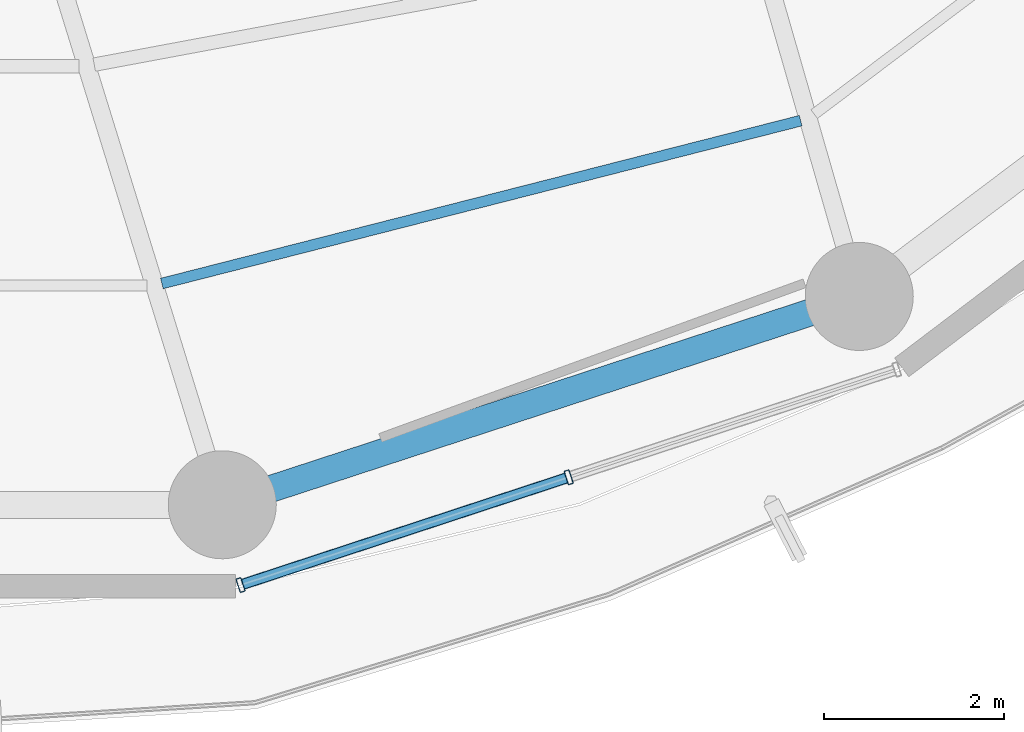
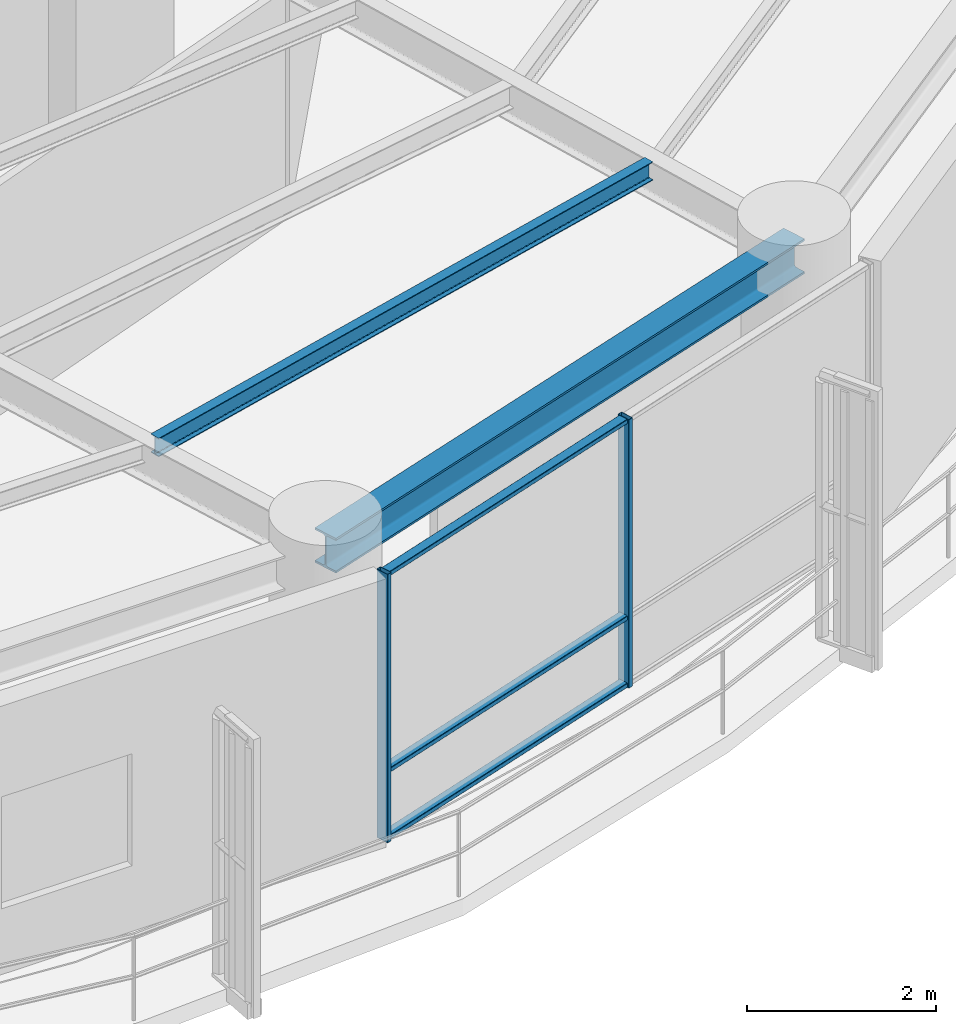
# One storey, part 4 of 27: 5 members, 2 beams, 1 element without a shape of its own.
"""IFC4 building model written with IfcOpenShell, lengths in metres."""

import ifcopenshell
import ifcopenshell.guid

model = None  # the IFC model being written
_history = None  # IfcOwnerHistory: only IFC2X3 demands one
_inside = {}  # id of a spatial element -> (the spatial element, [elements in it])
_under = {}  # id of a project, library or spatial element -> (it, [spatial elements below it])
_declared = {}  # id of a project -> (the project, [libraries it declares])
_typed = {}  # id of a type object -> (the type object, [elements of that type])
_made_of = {}  # id of a material, layer set ... -> (it, [elements and type objects made of it])


def new_model(schema):
    """Start an empty IFC model of exactly this schema.

    Asked for "IFC4X3", IfcOpenShell would pick the latest addendum, in which some entities
    have other attributes; the version numbers below select the first issue.
    IFC2X3 requires an IfcOwnerHistory on every rooted entity: one is made here for all.
    """
    global model, _history
    if schema == "IFC4X3":
        model = ifcopenshell.file(schema_version=(4, 3, 0, 0))
    else:
        model = ifcopenshell.file(schema=schema)
    _inside.clear()
    _under.clear()
    _declared.clear()
    _typed.clear()
    _made_of.clear()
    _history = None
    if model.schema == "IFC2X3":
        org = make("IfcOrganization", Name="unknown")
        user = make(
            "IfcPersonAndOrganization",
            ThePerson=make("IfcPerson", FamilyName="unknown"),
            TheOrganization=org,
        )
        app = make(
            "IfcApplication",
            ApplicationDeveloper=org,
            Version="unknown",
            ApplicationFullName="unknown",
            ApplicationIdentifier="unknown",
        )
        _history = make(
            "IfcOwnerHistory",
            OwningUser=user,
            OwningApplication=app,
            ChangeAction="ADDED",
            CreationDate=0,
        )
    return model


def make(cls, **values):
    """One entity of the class cls with the attributes given. An attribute that is None is left unset."""
    return model.create_entity(
        cls, **{name: value for name, value in values.items() if value is not None}
    )


def rooted(cls, **values):
    """An entity with a GlobalId (a new one), such as an element, a storey or a relation."""
    return make(cls, GlobalId=ifcopenshell.guid.new(), OwnerHistory=_history, **values)


def si_unit(unit_type, name, prefix=None):
    """IfcSIUnit, for example si_unit("LENGTHUNIT", "METRE", prefix="MILLI")."""
    return make("IfcSIUnit", UnitType=unit_type, Prefix=prefix, Name=name)


def assignment(units):
    """IfcUnitAssignment: the units of a project."""
    return None if units is None else make("IfcUnitAssignment", Units=units)


def point(xyz):
    """IfcCartesianPoint."""
    return None if xyz is None else make("IfcCartesianPoint", Coordinates=xyz)


def direction(xyz):
    """IfcDirection."""
    return None if xyz is None else make("IfcDirection", DirectionRatios=xyz)


def frame(location, z_axis=None, x_axis=None):
    """IfcAxis2Placement3D, a coordinate frame: its origin and axes. An axis left out is left unset."""
    return make(
        "IfcAxis2Placement3D",
        Location=point(location),
        Axis=direction(z_axis),
        RefDirection=direction(x_axis),
    )


def frame_2d(location, x_axis=None):
    """IfcAxis2Placement2D, a coordinate frame in the plane: its origin and x axis."""
    return make(
        "IfcAxis2Placement2D", Location=point(location), RefDirection=direction(x_axis)
    )


def origin():
    """The frame at (0, 0, 0) with its axes left unset."""
    return frame((0.0, 0.0, 0.0))


def origin_2d():
    """The frame at (0, 0) in the plane with its x axis left unset."""
    return frame_2d((0.0, 0.0))


def place(relative_to, where):
    """IfcLocalPlacement: puts the frame where relative to a parent placement (None: the world)."""
    return make(
        "IfcLocalPlacement", PlacementRelTo=relative_to, RelativePlacement=where
    )


def context(
    kind, dimensions, precision=None, world=None, true_north=None, identifier=None
):
    """IfcGeometricRepresentationContext, for example the 3D "Model" context."""
    return make(
        "IfcGeometricRepresentationContext",
        ContextIdentifier=identifier,
        ContextType=kind,
        CoordinateSpaceDimension=dimensions,
        Precision=precision,
        WorldCoordinateSystem=world,
        TrueNorth=true_north,
    )


def subcontext(parent, identifier, kind, view, scale=None):
    """IfcGeometricRepresentationSubContext, for example "Body" below "Model"."""
    return make(
        "IfcGeometricRepresentationSubContext",
        ContextIdentifier=identifier,
        ContextType=kind,
        ParentContext=parent,
        TargetScale=scale,
        TargetView=view,
    )


def project(units=None, contexts=None):
    """IfcProject with its units and contexts."""
    return rooted(
        "IfcProject",
        Name="project",
        RepresentationContexts=contexts,
        UnitsInContext=assignment(units),
    )


def spatial(cls, under=None, at=None, **own):
    """A site, building, storey or space (cls), placed at a placement, below another one or the project."""
    s = rooted(cls, ObjectPlacement=at, **own)
    if under is not None:
        _under.setdefault(under.id(), (under, []))[1].append(s)
    return s


def profile(cls, at=None, kind="AREA", **sizes):
    """A parametric profile (cls). Its sizes go by their IFC names, for example OverallWidth=200.0."""
    return make(cls, ProfileType=kind, Position=at, **sizes)


def hollow_rectangle(**sizes):
    """IfcRectangleHollowProfileDef."""
    return profile("IfcRectangleHollowProfileDef", **sizes)


def i_section(**sizes):
    """IfcIShapeProfileDef."""
    return profile("IfcIShapeProfileDef", **sizes)


def extrude(swept, where, along, depth):
    """IfcExtrudedAreaSolid: the profile swept, set in the frame where, extruded along a direction by depth."""
    return make(
        "IfcExtrudedAreaSolid",
        SweptArea=swept,
        Position=where,
        ExtrudedDirection=direction(along),
        Depth=depth,
    )


def shape(context_of_items, identifier, shape_type, items):
    """IfcShapeRepresentation: the items that make up one representation, for example the "Body"."""
    return make(
        "IfcShapeRepresentation",
        ContextOfItems=context_of_items,
        RepresentationIdentifier=identifier,
        RepresentationType=shape_type,
        Items=items,
    )


def material(Name=None, Category=None):
    """IfcMaterial."""
    return make("IfcMaterial", Name=Name, Category=Category)


def layer(
    of_material, thickness, ventilated=None, Name=None, Category=None, Priority=None
):
    """IfcMaterialLayer: one layer of a wall or slab, of a material (None: an air gap)."""
    return make(
        "IfcMaterialLayer",
        Material=of_material,
        LayerThickness=thickness,
        IsVentilated=ventilated,
        Name=Name,
        Category=Category,
        Priority=Priority,
    )


def layer_set(layers, Name=None):
    """IfcMaterialLayerSet."""
    return make("IfcMaterialLayerSet", MaterialLayers=layers, LayerSetName=Name)


def material_profile(
    of_material, cross_section, Name=None, Category=None, Priority=None
):
    """IfcMaterialProfile: a cross section and its material."""
    return make(
        "IfcMaterialProfile",
        Name=Name,
        Material=of_material,
        Profile=cross_section,
        Priority=Priority,
        Category=Category,
    )


def profile_set(profiles, Name=None, composite=None):
    """IfcMaterialProfileSet."""
    return make(
        "IfcMaterialProfileSet",
        Name=Name,
        MaterialProfiles=profiles,
        CompositeProfile=composite,
    )


def made_of(thing, what):
    """Note that an element or type object is made of a material, layer set ...; save() writes the relation."""
    if what is not None:
        _made_of.setdefault(what.id(), (what, []))[1].append(thing)
    return thing


def type_object(cls, material=None, **own):
    """A type object (cls), such as IfcWallType, which elements share."""
    return made_of(rooted(cls, **own), material)


def element(
    cls,
    number,
    at=None,
    inside=None,
    cuts=None,
    type_object=None,
    material=None,
    context=None,
    identifier="Body",
    shape_type=None,
    held_by="IfcProductDefinitionShape",
    body=None,
    shapes=None,
    **own,
):
    """One element of the class cls, such as IfcWall. Its Tag is "e" and its number.

    at: its placement. inside: the storey or other place that contains it. cuts: it is an
    opening in that element (IfcRelVoidsElement). A single representation is given by context,
    identifier, shape_type and body (its items); several are given by shapes. held_by: the class
    of the entity that holds the representations. save() writes the other relations.
    """
    e = rooted(cls, Tag="e%d" % number, ObjectPlacement=at, **own)
    if body is not None:
        shapes = [shape(context, identifier, shape_type, body)]
    if shapes is not None:
        e.Representation = make(held_by, Representations=shapes)
    if inside is not None:
        _inside.setdefault(inside.id(), (inside, []))[1].append(e)
    if cuts is not None:
        rooted(
            "IfcRelVoidsElement", RelatingBuildingElement=cuts, RelatedOpeningElement=e
        )
    if type_object is not None:
        _typed.setdefault(type_object.id(), (type_object, []))[1].append(e)
    return made_of(e, material)


def aggregate(whole, parts):
    """IfcRelAggregates: a whole, such as a stair, and the parts it consists of."""
    return rooted("IfcRelAggregates", RelatingObject=whole, RelatedObjects=parts)


def save(model, path):
    """Write the relations noted so far, then the file.

    IfcRelAggregates (storeys below a building ...), IfcRelContainedInSpatialStructure (elements
    in a storey), IfcRelDefinesByType, IfcRelAssociatesMaterial and IfcRelDeclares: one each for
    every whole, place, type object, material and project.
    """
    for whole, parts in _under.values():
        aggregate(whole, parts)
    for where, things in _inside.values():
        rooted(
            "IfcRelContainedInSpatialStructure",
            RelatedElements=things,
            RelatingStructure=where,
        )
    for kind, things in _typed.values():
        rooted("IfcRelDefinesByType", RelatedObjects=things, RelatingType=kind)
    for what, things in _made_of.values():
        rooted("IfcRelAssociatesMaterial", RelatedObjects=things, RelatingMaterial=what)
    for by, libraries in _declared.values():
        rooted("IfcRelDeclares", RelatingContext=by, RelatedDefinitions=libraries)
    model.write(path)


model = new_model("IFC4")

# Units and contexts
model_context = context("Model", 3, precision=1e-05, world=origin(), true_north=direction((0.0, 1.0)))
body_context = subcontext(model_context, "Body", "Model", "MODEL_VIEW")
ifc_project = project(units=[si_unit("LENGTHUNIT", "METRE"), si_unit("AREAUNIT", "SQUARE_METRE"), si_unit("VOLUMEUNIT", "CUBIC_METRE"), si_unit("PLANEANGLEUNIT", "RADIAN"), si_unit("MASSUNIT", "GRAM", prefix="KILO")], contexts=[model_context])

# Site, building, storey
site_placement = place(None, origin())
site = spatial("IfcSite", under=ifc_project, at=site_placement, CompositionType="ELEMENT")
building_placement = place(site_placement, origin())
building = spatial("IfcBuilding", under=site, at=building_placement, Name="Kelanora Arch Commons", CompositionType="ELEMENT")
storey_placement = place(building_placement, frame((0.0, 0.0, 173.10009765625)))
storey = spatial("IfcBuildingStorey", under=building, at=storey_placement, Name="L44", CompositionType="ELEMENT", Elevation=173.10009765625)

# Beams
ifc_material_1 = material(Name="Steel S355", Category="steel")
ifc_material_profile_1 = material_profile(ifc_material_1, i_section(OverallWidth=0.1201171875, OverallDepth=0.239990234375, WebThickness=0.006103515625, FlangeThickness=0.009765625, FilletRadius=0.014892578125, at=origin_2d()), Name="IPE240")
ifc_profile_set_1 = profile_set([ifc_material_profile_1], Name="Steel S355")
beam_type_1 = type_object("IfcBeamType", Name="BM-JST-02", PredefinedType="JOIST", material=ifc_profile_set_1)
beam_1_placement = place(storey_placement, frame((77.093994140625, 41.273681640625, 3.369873046875), z_axis=(0.96900232943, 0.247051584815, 0.0), x_axis=(-0.247051584815, 0.96900232943, 0.0)))
element("IfcBeam", 1, at=beam_1_placement, inside=storey, type_object=beam_type_1, Name="Secondary Chord Joist BJC-28 L44", PredefinedType="JOIST", context=body_context, shape_type="SweptSolid", body=[
    extrude(i_section(OverallWidth=0.1201171875, OverallDepth=0.239990234375, WebThickness=0.006103515625, FlangeThickness=0.009765625, FilletRadius=0.014892578125, at=origin_2d()), origin(), (0.0, 0.0, 1.0), 7.32275390625),
])
ifc_material_profile_2 = material_profile(ifc_material_1, i_section(OverallWidth=0.300048828125, OverallDepth=0.449951171875, WebThickness=0.013916015625, FlangeThickness=0.02587890625, FilletRadius=0.027099609375, at=origin_2d()), Name="HEB450")
ifc_profile_set_2 = profile_set([ifc_material_profile_2], Name="Steel S355")
beam_type_2 = type_object("IfcBeamType", Name="BM-SPN-Z3", PredefinedType="SPANDREL", material=ifc_profile_set_2)
beam_2_placement = place(storey_placement, frame((77.7646484375, 38.81591796875, 3.264892578125), z_axis=(0.950461975786, 0.310840847676, 0.0), x_axis=(-0.310840847676, 0.950461975786, 0.0)))
element("IfcBeam", 2, at=beam_2_placement, inside=storey, type_object=beam_type_2, Name="Perimeter Spandrel Beam BS-28 L44", PredefinedType="SPANDREL", context=body_context, shape_type="SweptSolid", body=[
    extrude(i_section(OverallWidth=0.300048828125, OverallDepth=0.449951171875, WebThickness=0.013916015625, FlangeThickness=0.02587890625, FilletRadius=0.027099609375, at=origin_2d()), origin(), (0.0, 0.0, 1.0), 7.444091796875),
])

# Curtain wall, members
ifc_material_2 = material(Name="Terracotta ceramic-fritted low-E glass and aluminium", Category="masonry")
ifc_layer = layer(ifc_material_2, 0.175048828125)
ifc_layer_set = layer_set([ifc_layer], Name="Terracotta ceramic-fritted low-E glass and aluminium")
curtain_wall_type = type_object("IfcCurtainWallType", Name="CW-SYS-02", PredefinedType="NOTDEFINED", material=ifc_layer_set)
curtain_wall_placement = place(storey_placement, origin())
curtain_wall = element("IfcCurtainWall", 3, at=curtain_wall_placement, inside=storey, type_object=curtain_wall_type, Name="Unitised Curtain Wall L44-B14", PredefinedType="NOTDEFINED")
ifc_material_3 = material(Name="Powder-coated aluminium terracotta", Category="masonry")
ifc_material_profile_3 = material_profile(ifc_material_3, hollow_rectangle(XDim=0.159912109375, YDim=0.06005859375, WallThickness=0.0048828125, InnerFilletRadius=0.0048828125, OuterFilletRadius=0.010009765625, at=origin_2d()), Name="CWM160x60")
ifc_profile_set_3 = profile_set([ifc_material_profile_3], Name="Powder-coated aluminium terracotta")
member_type_1 = type_object("IfcMemberType", Name="CWM-STD", PredefinedType="MULLION", material=ifc_profile_set_3)
member_1_placement = place(storey_placement, frame((77.96728515625, 37.924072265625, 0.0), z_axis=(0.0, 0.0, 1.0), x_axis=(-0.312128279571, 0.95003996605, 0.0)))
member_1 = element("IfcMember", 4, at=member_1_placement, type_object=member_type_1, Name="CW-02 mullion 1", PredefinedType="MULLION", context=body_context, shape_type="SweptSolid", body=[
    extrude(hollow_rectangle(XDim=0.159912109375, YDim=0.06005859375, WallThickness=0.0048828125, InnerFilletRadius=0.0048828125, OuterFilletRadius=0.010009765625, at=origin_2d()), origin(), (0.0, 0.0, 1.0), 3.474853515625),
])
member_2_placement = place(storey_placement, frame((81.6123046875, 39.12158203125, 0.0), z_axis=(0.0, 0.0, 1.0), x_axis=(-0.312128279571, 0.95003996605, 0.0)))
member_2 = element("IfcMember", 5, at=member_2_placement, type_object=member_type_1, Name="CW-02 mullion 2", PredefinedType="MULLION", context=body_context, shape_type="SweptSolid", body=[
    extrude(hollow_rectangle(XDim=0.159912109375, YDim=0.06005859375, WallThickness=0.0048828125, InnerFilletRadius=0.0048828125, OuterFilletRadius=0.010009765625, at=origin_2d()), origin(), (0.0, 0.0, 1.0), 3.474853515625),
])
ifc_material_profile_4 = material_profile(ifc_material_3, hollow_rectangle(XDim=0.1201171875, YDim=0.06005859375, WallThickness=0.0048828125, InnerFilletRadius=0.0048828125, OuterFilletRadius=0.010009765625, at=origin_2d()), Name="CWT120x60")
ifc_profile_set_4 = profile_set([ifc_material_profile_4], Name="Powder-coated aluminium terracotta")
member_type_2 = type_object("IfcMemberType", Name="CWT-STD", PredefinedType="USERDEFINED", material=ifc_profile_set_4)
member_3_placement = place(storey_placement, frame((77.99560546875, 37.933349609375, 0.02978515625), z_axis=(0.950051191155, 0.312094111104, 0.0), x_axis=(-0.312094111104, 0.950051191155, 0.0)))
member_3 = element("IfcMember", 6, at=member_3_placement, type_object=member_type_2, Name="CW-02 transom 1.1", ObjectType="TRANSOM", PredefinedType="USERDEFINED", context=body_context, shape_type="SweptSolid", body=[
    extrude(hollow_rectangle(XDim=0.1201171875, YDim=0.06005859375, WallThickness=0.0048828125, InnerFilletRadius=0.0048828125, OuterFilletRadius=0.010009765625, at=origin_2d()), origin(), (0.0, 0.0, 1.0), 3.77685546875),
])
member_4_placement = place(storey_placement, frame((77.99560546875, 37.933349609375, 0.89990234375), z_axis=(0.950051191155, 0.312094111104, 0.0), x_axis=(-0.312094111104, 0.950051191155, 0.0)))
member_4 = element("IfcMember", 7, at=member_4_placement, type_object=member_type_2, Name="CW-02 transom 1.2", ObjectType="TRANSOM", PredefinedType="USERDEFINED", context=body_context, shape_type="SweptSolid", body=[
    extrude(hollow_rectangle(XDim=0.1201171875, YDim=0.06005859375, WallThickness=0.0048828125, InnerFilletRadius=0.0048828125, OuterFilletRadius=0.010009765625, at=origin_2d()), origin(), (0.0, 0.0, 1.0), 3.77685546875),
])
member_5_placement = place(storey_placement, frame((77.99560546875, 37.933349609375, 3.44482421875), z_axis=(0.950051191155, 0.312094111104, 0.0), x_axis=(-0.312094111104, 0.950051191155, 0.0)))
member_5 = element("IfcMember", 8, at=member_5_placement, type_object=member_type_2, Name="CW-02 transom 1.3", ObjectType="TRANSOM", PredefinedType="USERDEFINED", context=body_context, shape_type="SweptSolid", body=[
    extrude(hollow_rectangle(XDim=0.1201171875, YDim=0.06005859375, WallThickness=0.0048828125, InnerFilletRadius=0.0048828125, OuterFilletRadius=0.010009765625, at=origin_2d()), origin(), (0.0, 0.0, 1.0), 3.77685546875),
])
aggregate(curtain_wall, [member_1, member_2, member_3, member_4, member_5])

save(model, "model.ifc")
